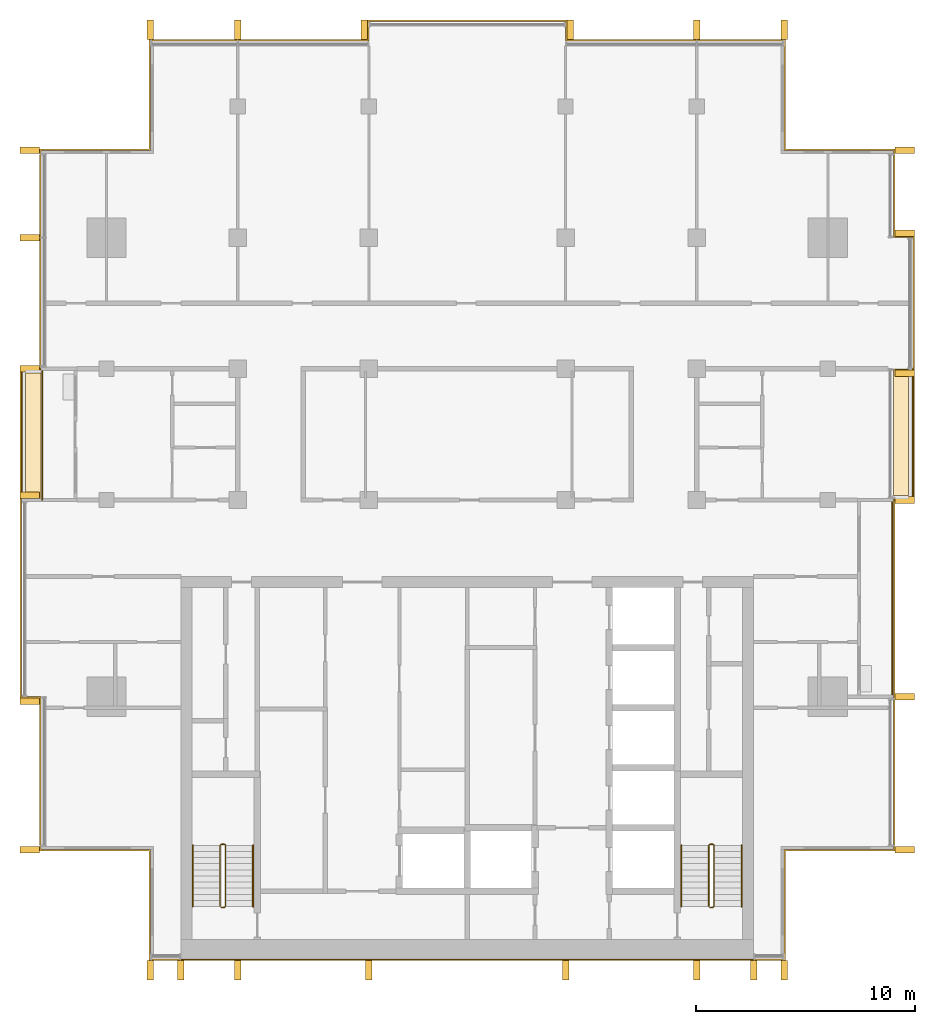
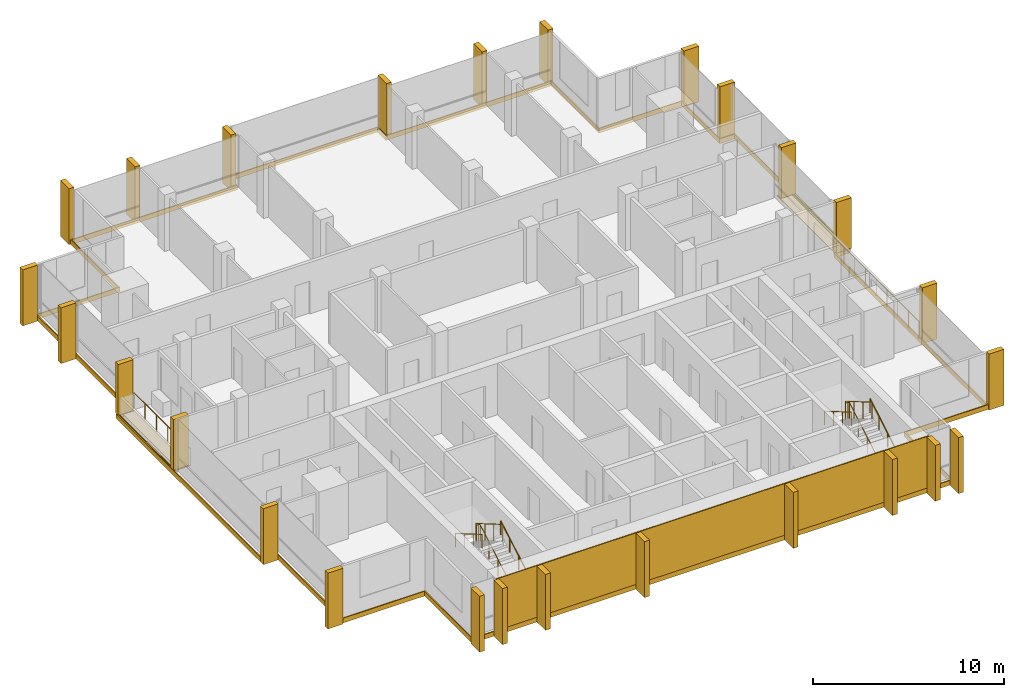
# One storey, part 15 of 15: 26 shading devices, 9 coverings, 8 railings.
"""IFC4 building model written with IfcOpenShell, lengths in metres."""

from ifc_helpers import new_model, si_unit, direction, frame, origin, origin_2d, place, context, subcontext, project, spatial, polyline, rectangle, circle, outline, extrude, material, layer, layer_set, type_object, element, save


model = new_model("IFC4")

# Units and contexts
model_context = context("Model", 3, precision=1e-05, world=origin(), true_north=direction((0.0, 1.0)))
body_context = subcontext(model_context, "Body", "Model", "MODEL_VIEW")
ifc_project = project(units=[si_unit("LENGTHUNIT", "METRE"), si_unit("AREAUNIT", "SQUARE_METRE"), si_unit("VOLUMEUNIT", "CUBIC_METRE"), si_unit("PLANEANGLEUNIT", "RADIAN"), si_unit("MASSUNIT", "GRAM", prefix="KILO")], contexts=[model_context])

# Site, building, storey
site_placement = place(None, origin())
site = spatial("IfcSite", under=ifc_project, at=site_placement, CompositionType="ELEMENT")
building_placement = place(site_placement, origin())
building = spatial("IfcBuilding", under=site, at=building_placement, Name="Finial Court Residences", CompositionType="ELEMENT")
storey_placement = place(building_placement, frame((0.0, 0.0, 266.300048828125)))
storey = spatial("IfcBuildingStorey", under=building, at=storey_placement, Name="L67", CompositionType="ELEMENT", Elevation=266.300048828125)

# Railings
ifc_material_1 = material(Name="Bronze anodised aluminium", Category="aluminium")
railing_type_1 = type_object("IfcRailingType", Name="Balcony guard 1100", PredefinedType="GUARDRAIL", material=ifc_material_1)
railing_1_placement = place(storey_placement, frame((19.449951171875, -13.5, 0.0)))
element("IfcRailing", 1, at=railing_1_placement, inside=storey, type_object=railing_type_1, Name="E-L67-BALE2-R", PredefinedType="GUARDRAIL", context=body_context, shape_type="SweptSolid", body=[
    extrude(circle(Radius=0.02392578125, at=origin_2d()), frame((0.0, 0.0, 1.076171875), z_axis=(0.0, 1.0, 0.0), x_axis=(-1.0, 0.0, 0.0)), (0.0, 0.0, 1.0), 9.0),
    extrude(circle(Radius=0.02099609375, at=origin_2d()), origin(), (0.0, 0.0, 1.0), 1.052001953125),
    extrude(circle(Radius=0.02099609375, at=origin_2d()), frame((0.0, 1.125, 0.0)), (0.0, 0.0, 1.0), 1.052001953125),
    extrude(circle(Radius=0.02099609375, at=origin_2d()), frame((0.0, 2.25, 0.0)), (0.0, 0.0, 1.0), 1.052001953125),
    extrude(circle(Radius=0.02099609375, at=origin_2d()), frame((0.0, 3.375, 0.0)), (0.0, 0.0, 1.0), 1.052001953125),
    extrude(circle(Radius=0.02099609375, at=origin_2d()), frame((0.0, 4.5, 0.0)), (0.0, 0.0, 1.0), 1.052001953125),
    extrude(circle(Radius=0.02099609375, at=origin_2d()), frame((0.0, 5.625, 0.0)), (0.0, 0.0, 1.0), 1.052001953125),
    extrude(circle(Radius=0.02099609375, at=origin_2d()), frame((0.0, 6.75, 0.0)), (0.0, 0.0, 1.0), 1.052001953125),
    extrude(circle(Radius=0.02099609375, at=origin_2d()), frame((0.0, 7.875, 0.0)), (0.0, 0.0, 1.0), 1.052001953125),
    extrude(circle(Radius=0.02099609375, at=origin_2d()), frame((0.0, 9.0, 0.0)), (0.0, 0.0, 1.0), 1.052001953125),
])
railing_2_placement = place(storey_placement, frame((-19.449951171875, -4.5, 0.0)))
element("IfcRailing", 2, at=railing_2_placement, inside=storey, type_object=railing_type_1, Name="E-L67-BALW3-R", PredefinedType="GUARDRAIL", context=body_context, shape_type="SweptSolid", body=[
    extrude(circle(Radius=0.02392578125, at=origin_2d()), frame((0.0, 0.0, 1.076171875), z_axis=(0.0, 1.0, 0.0), x_axis=(-1.0, 0.0, 0.0)), (0.0, 0.0, 1.0), 6.0),
    extrude(circle(Radius=0.02099609375, at=origin_2d()), origin(), (0.0, 0.0, 1.0), 1.052001953125),
    extrude(circle(Radius=0.02099609375, at=origin_2d()), frame((0.0, 1.199951171875, 0.0)), (0.0, 0.0, 1.0), 1.052001953125),
    extrude(circle(Radius=0.02099609375, at=origin_2d()), frame((0.0, 2.39990234375, 0.0)), (0.0, 0.0, 1.0), 1.052001953125),
    extrude(circle(Radius=0.02099609375, at=origin_2d()), frame((0.0, 3.60009765625, 0.0)), (0.0, 0.0, 1.0), 1.052001953125),
    extrude(circle(Radius=0.02099609375, at=origin_2d()), frame((0.0, 4.800048828125, 0.0)), (0.0, 0.0, 1.0), 1.052001953125),
    extrude(circle(Radius=0.02099609375, at=origin_2d()), frame((0.0, 6.0, 0.0)), (0.0, 0.0, 1.0), 1.052001953125),
])

# Coverings
ifc_material_2 = material(Name="Natural limestone", Category="masonry")
ifc_layer_1 = layer(ifc_material_2, 0.06005859375)
ifc_layer_set_1 = layer_set([ifc_layer_1], Name="Limestone cladding to the blind core face 60")
covering_type_1 = type_object("IfcCoveringType", Name="Limestone cladding to the blind core face 60", PredefinedType="CLADDING", material=ifc_layer_set_1)
covering_1_placement = place(storey_placement, origin())
element("IfcCovering", 3, at=covering_1_placement, inside=storey, type_object=covering_type_1, Name="E-L67-CLAD1", PredefinedType="CLADDING", context=body_context, shape_type="SweptSolid", body=[
    extrude(outline(polyline([(-10.5, -25.56005859375), (-10.5, -25.5), (-13.10009765625, -25.5), (-13.10009765625, -25.56005859375), (-10.5, -25.56005859375)])), origin(), (0.0, 0.0, 1.0), 3.300048828125),
])
covering_2_placement = place(storey_placement, origin())
element("IfcCovering", 4, at=covering_2_placement, inside=storey, type_object=covering_type_1, Name="E-L67-CLAD2", PredefinedType="CLADDING", context=body_context, shape_type="SweptSolid", body=[
    extrude(outline(polyline([(-4.5, -25.56005859375), (-4.5, -25.5), (-10.5, -25.5), (-10.5, -25.56005859375), (-4.5, -25.56005859375)])), origin(), (0.0, 0.0, 1.0), 3.300048828125),
])
covering_3_placement = place(storey_placement, origin())
element("IfcCovering", 5, at=covering_3_placement, inside=storey, type_object=covering_type_1, Name="E-L67-CLAD3", PredefinedType="CLADDING", context=body_context, shape_type="SweptSolid", body=[
    extrude(outline(polyline([(4.5, -25.56005859375), (4.5, -25.5), (-4.5, -25.5), (-4.5, -25.56005859375), (4.5, -25.56005859375)])), origin(), (0.0, 0.0, 1.0), 3.300048828125),
])
covering_4_placement = place(storey_placement, origin())
element("IfcCovering", 6, at=covering_4_placement, inside=storey, type_object=covering_type_1, Name="E-L67-CLAD4", PredefinedType="CLADDING", context=body_context, shape_type="SweptSolid", body=[
    extrude(outline(polyline([(10.5, -25.56005859375), (10.5, -25.5), (4.5, -25.5), (4.5, -25.56005859375), (10.5, -25.56005859375)])), origin(), (0.0, 0.0, 1.0), 3.300048828125),
])
covering_5_placement = place(storey_placement, origin())
element("IfcCovering", 7, at=covering_5_placement, inside=storey, type_object=covering_type_1, Name="E-L67-CLAD5", PredefinedType="CLADDING", context=body_context, shape_type="SweptSolid", body=[
    extrude(outline(polyline([(13.10009765625, -25.56005859375), (13.10009765625, -25.5), (10.5, -25.5), (10.5, -25.56005859375), (13.10009765625, -25.56005859375)])), origin(), (0.0, 0.0, 1.0), 3.300048828125),
])

# Shading devices
shading_device_type = type_object("IfcShadingDeviceType", Name="Limestone fin 300 x 900", PredefinedType="USERDEFINED", material=ifc_material_2)
for number, where, z_axis, x_axis, name in (
    (8, (-14.5, 17.010009765625, -0.300048828125), (0.0, 0.0, 1.0), (1.0, 0.0, 0.0), "E-L67-FIN-N1"),
    (9, (-10.5, 17.010009765625, -0.300048828125), (0.0, 0.0, 1.0), (1.0, 0.0, 0.0), "E-L67-FIN-N2"),
    (10, (-4.7099609375, 17.010009765625, -0.300048828125), (0.0, 0.0, 1.0), (1.0, 0.0, 0.0), "E-L67-FIN-N3"),
    (11, (4.7099609375, 17.010009765625, -0.300048828125), (0.0, 0.0, 1.0), (1.0, 0.0, 0.0), "E-L67-FIN-N4"),
    (12, (10.5, 17.010009765625, -0.300048828125), (0.0, 0.0, 1.0), (1.0, 0.0, 0.0), "E-L67-FIN-N5"),
    (13, (14.5, 17.010009765625, -0.300048828125), (0.0, 0.0, 1.0), (1.0, 0.0, 0.0), "E-L67-FIN-N6"),
):
    element("IfcShadingDevice", number, at=place(storey_placement, frame(where, z_axis=z_axis, x_axis=x_axis)), inside=storey, type_object=shading_device_type, Name=name, ObjectType="FIN", PredefinedType="USERDEFINED", context=body_context, shape_type="SweptSolid", body=[
        extrude(rectangle(XDim=0.300048828125, YDim=0.89990234375, at=origin_2d()), origin(), (0.0, 0.0, 1.0), 3.580078125),
    ])
for number, where, z_axis, x_axis, name in (
    (14, (20.010009765625, -20.5, -0.300048828125), (0.0, 0.0, 1.0), (1.0, 0.0, 0.0), "E-L67-FIN-E7"),
    (15, (20.010009765625, -13.5, -0.300048828125), (0.0, 0.0, 1.0), (1.0, 0.0, 0.0), "E-L67-FIN-E8"),
):
    element("IfcShadingDevice", number, at=place(storey_placement, frame(where, z_axis=z_axis, x_axis=x_axis)), inside=storey, type_object=shading_device_type, Name=name, ObjectType="FIN", PredefinedType="USERDEFINED", context=body_context, shape_type="SweptSolid", body=[
        extrude(rectangle(XDim=0.89990234375, YDim=0.300048828125, at=origin_2d()), origin(), (0.0, 0.0, 1.0), 3.580078125),
    ])
for number, where, z_axis, x_axis, name in (
    (16, (20.010009765625, -4.5, 0.0400390625), (0.0, 0.0, 1.0), (1.0, 0.0, 0.0), "E-L67-FIN-E9"),
    (17, (20.010009765625, 1.2900390625, 0.0400390625), (0.0, 0.0, 1.0), (1.0, 0.0, 0.0), "E-L67-FIN-E10"),
):
    element("IfcShadingDevice", number, at=place(storey_placement, frame(where, z_axis=z_axis, x_axis=x_axis)), inside=storey, type_object=shading_device_type, Name=name, ObjectType="FIN", PredefinedType="USERDEFINED", context=body_context, shape_type="SweptSolid", body=[
        extrude(rectangle(XDim=0.89990234375, YDim=0.300048828125, at=origin_2d()), origin(), (0.0, 0.0, 1.0), 3.239990234375),
    ])
for number, where, z_axis, x_axis, name in (
    (18, (20.010009765625, 7.7099609375, -0.300048828125), (0.0, 0.0, 1.0), (1.0, 0.0, 0.0), "E-L67-FIN-E11"),
    (19, (20.010009765625, 11.5, -0.300048828125), (0.0, 0.0, 1.0), (1.0, 0.0, 0.0), "E-L67-FIN-E12"),
):
    element("IfcShadingDevice", number, at=place(storey_placement, frame(where, z_axis=z_axis, x_axis=x_axis)), inside=storey, type_object=shading_device_type, Name=name, ObjectType="FIN", PredefinedType="USERDEFINED", context=body_context, shape_type="SweptSolid", body=[
        extrude(rectangle(XDim=0.89990234375, YDim=0.300048828125, at=origin_2d()), origin(), (0.0, 0.0, 1.0), 3.580078125),
    ])
for number, where, z_axis, x_axis, name in (
    (20, (-14.5, -26.010009765625, -0.300048828125), (0.0, 0.0, 1.0), (1.0, 0.0, 0.0), "E-L67-FIN-S13"),
    (21, (-13.10009765625, -26.010009765625, -0.300048828125), (0.0, 0.0, 1.0), (1.0, 0.0, 0.0), "E-L67-FIN-S14"),
    (22, (-10.5, -26.010009765625, -0.300048828125), (0.0, 0.0, 1.0), (1.0, 0.0, 0.0), "E-L67-FIN-S15"),
    (23, (-4.5, -26.010009765625, -0.300048828125), (0.0, 0.0, 1.0), (1.0, 0.0, 0.0), "E-L67-FIN-S16"),
    (24, (4.5, -26.010009765625, -0.300048828125), (0.0, 0.0, 1.0), (1.0, 0.0, 0.0), "E-L67-FIN-S17"),
    (25, (10.5, -26.010009765625, -0.300048828125), (0.0, 0.0, 1.0), (1.0, 0.0, 0.0), "E-L67-FIN-S18"),
    (26, (13.10009765625, -26.010009765625, -0.300048828125), (0.0, 0.0, 1.0), (1.0, 0.0, 0.0), "E-L67-FIN-S19"),
    (27, (14.5, -26.010009765625, -0.300048828125), (0.0, 0.0, 1.0), (1.0, 0.0, 0.0), "E-L67-FIN-S20"),
):
    element("IfcShadingDevice", number, at=place(storey_placement, frame(where, z_axis=z_axis, x_axis=x_axis)), inside=storey, type_object=shading_device_type, Name=name, ObjectType="FIN", PredefinedType="USERDEFINED", context=body_context, shape_type="SweptSolid", body=[
        extrude(rectangle(XDim=0.300048828125, YDim=0.89990234375, at=origin_2d()), origin(), (0.0, 0.0, 1.0), 3.580078125),
    ])
for number, where, z_axis, x_axis, name in (
    (28, (-20.010009765625, -20.5, -0.300048828125), (0.0, 0.0, 1.0), (1.0, 0.0, 0.0), "E-L67-FIN-W21"),
    (29, (-20.010009765625, -13.7099609375, -0.300048828125), (0.0, 0.0, 1.0), (1.0, 0.0, 0.0), "E-L67-FIN-W22"),
):
    element("IfcShadingDevice", number, at=place(storey_placement, frame(where, z_axis=z_axis, x_axis=x_axis)), inside=storey, type_object=shading_device_type, Name=name, ObjectType="FIN", PredefinedType="USERDEFINED", context=body_context, shape_type="SweptSolid", body=[
        extrude(rectangle(XDim=0.89990234375, YDim=0.300048828125, at=origin_2d()), origin(), (0.0, 0.0, 1.0), 3.580078125),
    ])
for number, where, z_axis, x_axis, name in (
    (30, (-20.010009765625, -4.2900390625, 0.0400390625), (0.0, 0.0, 1.0), (1.0, 0.0, 0.0), "E-L67-FIN-W23"),
    (31, (-20.010009765625, 1.5, 0.0400390625), (0.0, 0.0, 1.0), (1.0, 0.0, 0.0), "E-L67-FIN-W24"),
):
    element("IfcShadingDevice", number, at=place(storey_placement, frame(where, z_axis=z_axis, x_axis=x_axis)), inside=storey, type_object=shading_device_type, Name=name, ObjectType="FIN", PredefinedType="USERDEFINED", context=body_context, shape_type="SweptSolid", body=[
        extrude(rectangle(XDim=0.89990234375, YDim=0.300048828125, at=origin_2d()), origin(), (0.0, 0.0, 1.0), 3.239990234375),
    ])
for number, where, z_axis, x_axis, name in (
    (32, (-20.010009765625, 7.5, -0.300048828125), (0.0, 0.0, 1.0), (1.0, 0.0, 0.0), "E-L67-FIN-W25"),
    (33, (-20.010009765625, 11.5, -0.300048828125), (0.0, 0.0, 1.0), (1.0, 0.0, 0.0), "E-L67-FIN-W26"),
):
    element("IfcShadingDevice", number, at=place(storey_placement, frame(where, z_axis=z_axis, x_axis=x_axis)), inside=storey, type_object=shading_device_type, Name=name, ObjectType="FIN", PredefinedType="USERDEFINED", context=body_context, shape_type="SweptSolid", body=[
        extrude(rectangle(XDim=0.89990234375, YDim=0.300048828125, at=origin_2d()), origin(), (0.0, 0.0, 1.0), 3.580078125),
    ])

# Coverings
ifc_material_3 = material(Name="Pale limestone", Category="masonry")
ifc_layer_2 = layer(ifc_material_3, 0.06005859375)
ifc_layer_set_2 = layer_set([ifc_layer_2], Name="Pale limestone slab-edge band 60")
covering_type_2 = type_object("IfcCoveringType", Name="Pale limestone slab-edge band 60", PredefinedType="CLADDING", material=ifc_layer_set_2)
covering_6_placement = place(storey_placement, frame((0.0, 0.0, -0.300048828125)))
element("IfcCovering", 34, at=covering_6_placement, inside=storey, type_object=covering_type_2, Name="E-L67-BAND1", PredefinedType="CLADDING", context=body_context, shape_type="SweptSolid", body=[
    extrude(outline(polyline([(14.56005859375, -20.56005859375), (14.56005859375, -25.56005859375), (-14.56005859375, -25.56005859375), (-14.56005859375, -20.56005859375), (-19.56005859375, -20.56005859375), (-19.56005859375, -13.56005859375), (-20.4599609375, -13.56005859375), (-20.4599609375, 1.56005859375), (-19.56005859375, 1.56005859375), (-19.56005859375, 11.56005859375), (-14.56005859375, 11.56005859375), (-14.56005859375, 16.56005859375), (-4.56005859375, 16.56005859375), (-4.56005859375, 17.4599609375), (4.56005859375, 17.4599609375), (4.56005859375, 16.56005859375), (14.56005859375, 16.56005859375), (14.56005859375, 11.56005859375), (19.56005859375, 11.56005859375), (19.56005859375, 7.56005859375), (20.4599609375, 7.56005859375), (20.4599609375, -4.56005859375), (19.56005859375, -4.56005859375), (19.56005859375, -20.56005859375), (14.56005859375, -20.56005859375)]), holes=[polyline([(19.5, -13.5), (19.5, -4.5), (20.39990234375, -4.5), (20.39990234375, 1.5), (20.39990234375, 7.5), (19.5, 7.5), (19.5, 11.5), (14.5, 11.5), (14.5, 16.5), (4.5, 16.5), (4.5, 17.39990234375), (-4.5, 17.39990234375), (-4.5, 16.5), (-14.5, 16.5), (-14.5, 11.5), (-19.5, 11.5), (-19.5, 1.5), (-20.39990234375, 1.5), (-20.39990234375, -4.5), (-20.39990234375, -13.5), (-19.5, -13.5), (-19.5, -20.5), (-14.5, -20.5), (-14.5, -25.5), (14.5, -25.5), (14.5, -20.5), (19.5, -20.5), (19.5, -13.5)])]), origin(), (0.0, 0.0, 1.0), 0.300048828125),
])
ifc_material_4 = material(Name="Bitumen membrane")
ifc_layer_3 = layer(ifc_material_4, 0.0400390625)
ifc_layer_set_3 = layer_set([ifc_layer_3], Name="Push box roofing, bitumen membrane 40")
covering_type_3 = type_object("IfcCoveringType", Name="Push box roofing, bitumen membrane 40", PredefinedType="ROOFING", material=ifc_layer_set_3)
covering_7_placement = place(storey_placement, origin())
element("IfcCovering", 35, at=covering_7_placement, inside=storey, type_object=covering_type_3, Name="E-L67-LED1", PredefinedType="ROOFING", context=body_context, shape_type="SweptSolid", body=[
    extrude(outline(polyline([(-19.5, -4.5), (-20.39990234375, -4.5), (-20.39990234375, 1.5), (-19.5, 1.5), (-19.5, -4.5)]), holes=[polyline([(-20.35009765625, 1.449951171875), (-20.35009765625, -4.489990234375), (-20.199951171875, -4.489990234375), (-20.199951171875, 1.300048828125), (-19.510009765625, 1.300048828125), (-19.510009765625, 1.449951171875), (-20.199951171875, 1.449951171875), (-20.35009765625, 1.449951171875)])]), origin(), (0.0, 0.0, 1.0), 0.0400390625),
])
covering_8_placement = place(storey_placement, origin())
element("IfcCovering", 36, at=covering_8_placement, inside=storey, type_object=covering_type_3, Name="E-L67-LED2", PredefinedType="ROOFING", context=body_context, shape_type="SweptSolid", body=[
    extrude(outline(polyline([(19.5, -4.449951171875), (20.199951171875, -4.449951171875), (20.35009765625, -4.449951171875), (20.35009765625, 1.5), (20.39990234375, 1.5), (20.39990234375, -4.5), (19.5, -4.5), (19.5, -4.449951171875)])), origin(), (0.0, 0.0, 1.0), 0.0400390625),
])
covering_9_placement = place(storey_placement, origin())
element("IfcCovering", 37, at=covering_9_placement, inside=storey, type_object=covering_type_3, Name="E-L67-LED2b", PredefinedType="ROOFING", context=body_context, shape_type="SweptSolid", body=[
    extrude(outline(polyline([(19.5, 1.5), (20.199951171875, 1.5), (20.199951171875, -4.300048828125), (19.5, -4.300048828125), (19.5, 1.5)])), origin(), (0.0, 0.0, 1.0), 0.0400390625),
])

# Railings
ifc_material_5 = material(Name="Stainless steel railing", Category="steel")
railing_type_2 = type_object("IfcRailingType", Name="Stair guard 1100", PredefinedType="GUARDRAIL", material=ifc_material_5)
railing_3_placement = place(storey_placement, frame((-11.10009765625, -23.14990234375, 0.0)))
element("IfcRailing", 38, at=railing_3_placement, inside=storey, type_object=railing_type_2, Name="L67 ST-1 stair guard 1", PredefinedType="GUARDRAIL", context=body_context, shape_type="SweptSolid", body=[
    extrude(circle(Radius=0.02392578125, at=origin_2d()), frame((0.0, 0.0, 1.076171875), z_axis=(-1.0, 0.0, 0.0), x_axis=(0.0, -1.0, 0.0)), (0.0, 0.0, 1.0), 0.14990234375),
    extrude(circle(Radius=0.02392578125, at=origin_2d()), frame((-0.14990234375, 0.0, 1.076171875), z_axis=(0.760004195007, 0.189305074214, 0.621737253547), x_axis=(-0.241699205484, 0.970351222016, 0.0)), (0.0, 0.0, 1.0), 0.26318359375),
    extrude(circle(Radius=0.02392578125, at=origin_2d()), frame((0.050048828125, 0.0498046875, 1.23974609375), z_axis=(0.0, 0.863360870873, 0.504586966384), x_axis=(-1.0, 0.0, 0.0)), (0.0, 0.0, 1.0), 3.2431640625),
    extrude(circle(Radius=0.02392578125, at=origin_2d()), frame((0.050048828125, 2.849853515625, 2.8759765625), z_axis=(-0.707106781187, 0.707106781187, 0.0), x_axis=(-0.707106781187, -0.707106781187, 0.0)), (0.0, 0.0, 1.0), 0.07080078125),
    extrude(circle(Radius=0.02392578125, at=origin_2d()), frame((0.0, 2.89990234375, 2.8759765625), z_axis=(-1.0, 0.0, 0.0), x_axis=(0.0, -1.0, 0.0)), (0.0, 0.0, 1.0), 0.14990234375),
    extrude(circle(Radius=0.02392578125, at=origin_2d()), frame((-0.14990234375, 2.89990234375, 2.8759765625), z_axis=(-0.280808744504, -0.280808744504, 0.917765164963), x_axis=(0.707106781187, -0.707106781187, 0.0)), (0.0, 0.0, 1.0), 0.17822265625),
    extrude(circle(Radius=0.02392578125, at=origin_2d()), frame((-0.199951171875, 2.849853515625, 3.03955078125), z_axis=(0.0, -0.863393664356, 0.504530851732), x_axis=(1.0, 0.0, 0.0)), (0.0, 0.0, 1.0), 3.2431640625),
    extrude(circle(Radius=0.02099609375, at=origin_2d()), origin(), (0.0, 0.0, 1.0), 1.052001953125),
    extrude(circle(Radius=0.02099609375, at=origin_2d()), frame((-0.14990234375, 0.0, 0.0)), (0.0, 0.0, 1.0), 1.052001953125),
    extrude(circle(Radius=0.02099609375, at=origin_2d()), frame((0.050048828125, 0.0498046875, 0.16357421875)), (0.0, 0.0, 1.0), 1.052001953125),
    extrude(circle(Radius=0.02099609375, at=origin_2d()), frame((0.050048828125, 0.983154296875, 0.708984375)), (0.0, 0.0, 1.0), 1.052001953125),
    extrude(circle(Radius=0.02099609375, at=origin_2d()), frame((0.050048828125, 1.91650390625, 1.254638671875)), (0.0, 0.0, 1.0), 1.052001953125),
    extrude(circle(Radius=0.02099609375, at=origin_2d()), frame((0.050048828125, 2.849853515625, 1.800048828125)), (0.0, 0.0, 1.0), 1.052001953125),
    extrude(circle(Radius=0.02099609375, at=origin_2d()), frame((0.0, 2.89990234375, 1.800048828125)), (0.0, 0.0, 1.0), 1.052001953125),
    extrude(circle(Radius=0.02099609375, at=origin_2d()), frame((-0.14990234375, 2.89990234375, 1.800048828125)), (0.0, 0.0, 1.0), 1.052001953125),
    extrude(circle(Radius=0.02099609375, at=origin_2d()), frame((-0.199951171875, 2.849853515625, 1.963623046875)), (0.0, 0.0, 1.0), 1.052001953125),
    extrude(circle(Radius=0.02099609375, at=origin_2d()), frame((-0.199951171875, 1.91650390625, 2.509033203125)), (0.0, 0.0, 1.0), 1.052001953125),
    extrude(circle(Radius=0.02099609375, at=origin_2d()), frame((-0.199951171875, 0.983154296875, 3.054443359375)), (0.0, 0.0, 1.0), 1.052001953125),
    extrude(circle(Radius=0.02099609375, at=origin_2d()), frame((-0.199951171875, 0.0498046875, 3.599853515625)), (0.0, 0.0, 1.0), 1.052001953125),
])
railing_4_placement = place(storey_placement, frame((11.25, -23.14990234375, 0.0)))
element("IfcRailing", 39, at=railing_4_placement, inside=storey, type_object=railing_type_2, Name="L67 ST-2 stair guard 1", PredefinedType="GUARDRAIL", context=body_context, shape_type="SweptSolid", body=[
    extrude(circle(Radius=0.02392578125, at=origin_2d()), frame((0.0, 0.0, 1.076171875), z_axis=(-1.0, 0.0, 0.0), x_axis=(0.0, -1.0, 0.0)), (0.0, 0.0, 1.0), 0.14990234375),
    extrude(circle(Radius=0.02392578125, at=origin_2d()), frame((-0.14990234375, 0.0, 1.076171875), z_axis=(0.760004195007, 0.189305074214, 0.621737253547), x_axis=(-0.241699205484, 0.970351222016, 0.0)), (0.0, 0.0, 1.0), 0.26318359375),
    extrude(circle(Radius=0.02392578125, at=origin_2d()), frame((0.050048828125, 0.0498046875, 1.23974609375), z_axis=(0.0, 0.863360870873, 0.504586966384), x_axis=(-1.0, 0.0, 0.0)), (0.0, 0.0, 1.0), 3.2431640625),
    extrude(circle(Radius=0.02392578125, at=origin_2d()), frame((0.050048828125, 2.849853515625, 2.8759765625), z_axis=(-0.707106781187, 0.707106781187, 0.0), x_axis=(-0.707106781187, -0.707106781187, 0.0)), (0.0, 0.0, 1.0), 0.07080078125),
    extrude(circle(Radius=0.02392578125, at=origin_2d()), frame((0.0, 2.89990234375, 2.8759765625), z_axis=(-1.0, 0.0, 0.0), x_axis=(0.0, -1.0, 0.0)), (0.0, 0.0, 1.0), 0.14990234375),
    extrude(circle(Radius=0.02392578125, at=origin_2d()), frame((-0.14990234375, 2.89990234375, 2.8759765625), z_axis=(-0.280808744504, -0.280808744504, 0.917765164963), x_axis=(0.707106781187, -0.707106781187, 0.0)), (0.0, 0.0, 1.0), 0.17822265625),
    extrude(circle(Radius=0.02392578125, at=origin_2d()), frame((-0.199951171875, 2.849853515625, 3.03955078125), z_axis=(0.0, -0.863393664356, 0.504530851732), x_axis=(1.0, 0.0, 0.0)), (0.0, 0.0, 1.0), 3.2431640625),
    extrude(circle(Radius=0.02099609375, at=origin_2d()), origin(), (0.0, 0.0, 1.0), 1.052001953125),
    extrude(circle(Radius=0.02099609375, at=origin_2d()), frame((-0.14990234375, 0.0, 0.0)), (0.0, 0.0, 1.0), 1.052001953125),
    extrude(circle(Radius=0.02099609375, at=origin_2d()), frame((0.050048828125, 0.0498046875, 0.16357421875)), (0.0, 0.0, 1.0), 1.052001953125),
    extrude(circle(Radius=0.02099609375, at=origin_2d()), frame((0.050048828125, 0.983154296875, 0.708984375)), (0.0, 0.0, 1.0), 1.052001953125),
    extrude(circle(Radius=0.02099609375, at=origin_2d()), frame((0.050048828125, 1.91650390625, 1.254638671875)), (0.0, 0.0, 1.0), 1.052001953125),
    extrude(circle(Radius=0.02099609375, at=origin_2d()), frame((0.050048828125, 2.849853515625, 1.800048828125)), (0.0, 0.0, 1.0), 1.052001953125),
    extrude(circle(Radius=0.02099609375, at=origin_2d()), frame((0.0, 2.89990234375, 1.800048828125)), (0.0, 0.0, 1.0), 1.052001953125),
    extrude(circle(Radius=0.02099609375, at=origin_2d()), frame((-0.14990234375, 2.89990234375, 1.800048828125)), (0.0, 0.0, 1.0), 1.052001953125),
    extrude(circle(Radius=0.02099609375, at=origin_2d()), frame((-0.199951171875, 2.849853515625, 1.963623046875)), (0.0, 0.0, 1.0), 1.052001953125),
    extrude(circle(Radius=0.02099609375, at=origin_2d()), frame((-0.199951171875, 1.91650390625, 2.509033203125)), (0.0, 0.0, 1.0), 1.052001953125),
    extrude(circle(Radius=0.02099609375, at=origin_2d()), frame((-0.199951171875, 0.983154296875, 3.054443359375)), (0.0, 0.0, 1.0), 1.052001953125),
    extrude(circle(Radius=0.02099609375, at=origin_2d()), frame((-0.199951171875, 0.0498046875, 3.599853515625)), (0.0, 0.0, 1.0), 1.052001953125),
])
railing_type_3 = type_object("IfcRailingType", Name="Stair handrail 900", PredefinedType="HANDRAIL", material=ifc_material_5)
railing_5_placement = place(storey_placement, frame((-9.800048828125, -23.10009765625, 0.16357421875)))
element("IfcRailing", 40, at=railing_5_placement, inside=storey, type_object=railing_type_3, Name="L67 ST-1 stair handrail 1", PredefinedType="HANDRAIL", context=body_context, shape_type="SweptSolid", body=[
    extrude(circle(Radius=0.02392578125, at=origin_2d()), frame((0.0, 0.0, 0.8759765625), z_axis=(0.0, 0.863360870873, 0.504586966384), x_axis=(-1.0, 0.0, 0.0)), (0.0, 0.0, 1.0), 3.2431640625),
    extrude(circle(Radius=0.02099609375, at=origin_2d()), origin(), (0.0, 0.0, 1.0), 0.851806640625),
    extrude(circle(Radius=0.02099609375, at=origin_2d()), frame((0.0, 0.933349609375, 0.54541015625)), (0.0, 0.0, 1.0), 0.851806640625),
    extrude(circle(Radius=0.02099609375, at=origin_2d()), frame((0.0, 1.86669921875, 1.091064453125)), (0.0, 0.0, 1.0), 0.851806640625),
    extrude(circle(Radius=0.02099609375, at=origin_2d()), frame((0.0, 2.800048828125, 1.636474609375)), (0.0, 0.0, 1.0), 0.851806640625),
])
railing_6_placement = place(storey_placement, frame((-12.550048828125, -20.300048828125, 1.963623046875)))
element("IfcRailing", 41, at=railing_6_placement, inside=storey, type_object=railing_type_3, Name="L67 ST-1 stair handrail 2", PredefinedType="HANDRAIL", context=body_context, shape_type="SweptSolid", body=[
    extrude(circle(Radius=0.02392578125, at=origin_2d()), frame((0.0, 0.0, 0.8759765625), z_axis=(0.0, -0.863393664356, 0.504530851732), x_axis=(1.0, 0.0, 0.0)), (0.0, 0.0, 1.0), 3.2431640625),
    extrude(circle(Radius=0.02099609375, at=origin_2d()), origin(), (0.0, 0.0, 1.0), 0.851806640625),
    extrude(circle(Radius=0.02099609375, at=origin_2d()), frame((0.0, -0.933349609375, 0.54541015625)), (0.0, 0.0, 1.0), 0.851806640625),
    extrude(circle(Radius=0.02099609375, at=origin_2d()), frame((0.0, -1.86669921875, 1.0908203125)), (0.0, 0.0, 1.0), 0.851806640625),
    extrude(circle(Radius=0.02099609375, at=origin_2d()), frame((0.0, -2.800048828125, 1.63623046875)), (0.0, 0.0, 1.0), 0.851806640625),
])
railing_7_placement = place(storey_placement, frame((12.550048828125, -23.10009765625, 0.16357421875)))
element("IfcRailing", 42, at=railing_7_placement, inside=storey, type_object=railing_type_3, Name="L67 ST-2 stair handrail 1", PredefinedType="HANDRAIL", context=body_context, shape_type="SweptSolid", body=[
    extrude(circle(Radius=0.02392578125, at=origin_2d()), frame((0.0, 0.0, 0.8759765625), z_axis=(0.0, 0.863360870873, 0.504586966384), x_axis=(-1.0, 0.0, 0.0)), (0.0, 0.0, 1.0), 3.2431640625),
    extrude(circle(Radius=0.02099609375, at=origin_2d()), origin(), (0.0, 0.0, 1.0), 0.851806640625),
    extrude(circle(Radius=0.02099609375, at=origin_2d()), frame((0.0, 0.933349609375, 0.54541015625)), (0.0, 0.0, 1.0), 0.851806640625),
    extrude(circle(Radius=0.02099609375, at=origin_2d()), frame((0.0, 1.86669921875, 1.091064453125)), (0.0, 0.0, 1.0), 0.851806640625),
    extrude(circle(Radius=0.02099609375, at=origin_2d()), frame((0.0, 2.800048828125, 1.636474609375)), (0.0, 0.0, 1.0), 0.851806640625),
])
railing_8_placement = place(storey_placement, frame((9.800048828125, -20.300048828125, 1.963623046875)))
element("IfcRailing", 43, at=railing_8_placement, inside=storey, type_object=railing_type_3, Name="L67 ST-2 stair handrail 2", PredefinedType="HANDRAIL", context=body_context, shape_type="SweptSolid", body=[
    extrude(circle(Radius=0.02392578125, at=origin_2d()), frame((0.0, 0.0, 0.8759765625), z_axis=(0.0, -0.863393664356, 0.504530851732), x_axis=(1.0, 0.0, 0.0)), (0.0, 0.0, 1.0), 3.2431640625),
    extrude(circle(Radius=0.02099609375, at=origin_2d()), origin(), (0.0, 0.0, 1.0), 0.851806640625),
    extrude(circle(Radius=0.02099609375, at=origin_2d()), frame((0.0, -0.933349609375, 0.54541015625)), (0.0, 0.0, 1.0), 0.851806640625),
    extrude(circle(Radius=0.02099609375, at=origin_2d()), frame((0.0, -1.86669921875, 1.0908203125)), (0.0, 0.0, 1.0), 0.851806640625),
    extrude(circle(Radius=0.02099609375, at=origin_2d()), frame((0.0, -2.800048828125, 1.63623046875)), (0.0, 0.0, 1.0), 0.851806640625),
])

save(model, "model.ifc")
